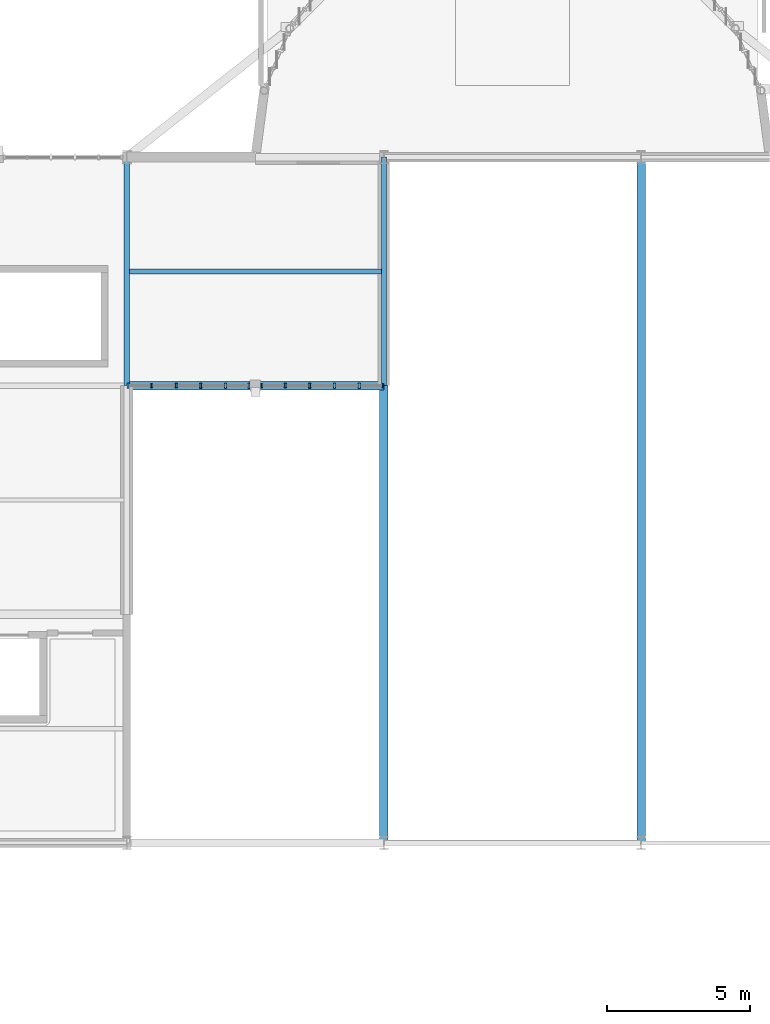
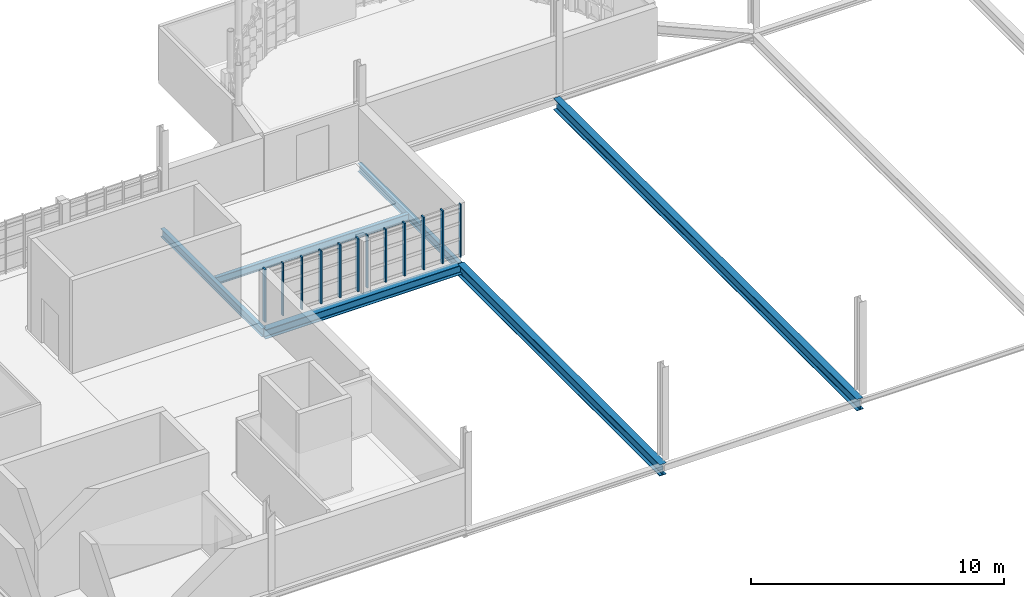
# One storey, part 11 of 44: 12 members, 6 beams, 2 elements without a shape of their own.
"""IFC4 building model written with IfcOpenShell, lengths in metres."""

import ifcopenshell
import ifcopenshell.guid

model = None  # the IFC model being written
_history = None  # IfcOwnerHistory: only IFC2X3 demands one
_inside = {}  # id of a spatial element -> (the spatial element, [elements in it])
_under = {}  # id of a project, library or spatial element -> (it, [spatial elements below it])
_declared = {}  # id of a project -> (the project, [libraries it declares])
_typed = {}  # id of a type object -> (the type object, [elements of that type])
_made_of = {}  # id of a material, layer set ... -> (it, [elements and type objects made of it])


def new_model(schema):
    """Start an empty IFC model of exactly this schema.

    Asked for "IFC4X3", IfcOpenShell would pick the latest addendum, in which some entities
    have other attributes; the version numbers below select the first issue.
    IFC2X3 requires an IfcOwnerHistory on every rooted entity: one is made here for all.
    """
    global model, _history
    if schema == "IFC4X3":
        model = ifcopenshell.file(schema_version=(4, 3, 0, 0))
    else:
        model = ifcopenshell.file(schema=schema)
    _inside.clear()
    _under.clear()
    _declared.clear()
    _typed.clear()
    _made_of.clear()
    _history = None
    if model.schema == "IFC2X3":
        org = make("IfcOrganization", Name="unknown")
        user = make(
            "IfcPersonAndOrganization",
            ThePerson=make("IfcPerson", FamilyName="unknown"),
            TheOrganization=org,
        )
        app = make(
            "IfcApplication",
            ApplicationDeveloper=org,
            Version="unknown",
            ApplicationFullName="unknown",
            ApplicationIdentifier="unknown",
        )
        _history = make(
            "IfcOwnerHistory",
            OwningUser=user,
            OwningApplication=app,
            ChangeAction="ADDED",
            CreationDate=0,
        )
    return model


def make(cls, **values):
    """One entity of the class cls with the attributes given. An attribute that is None is left unset."""
    return model.create_entity(
        cls, **{name: value for name, value in values.items() if value is not None}
    )


def rooted(cls, **values):
    """An entity with a GlobalId (a new one), such as an element, a storey or a relation."""
    return make(cls, GlobalId=ifcopenshell.guid.new(), OwnerHistory=_history, **values)


def si_unit(unit_type, name, prefix=None):
    """IfcSIUnit, for example si_unit("LENGTHUNIT", "METRE", prefix="MILLI")."""
    return make("IfcSIUnit", UnitType=unit_type, Prefix=prefix, Name=name)


def assignment(units):
    """IfcUnitAssignment: the units of a project."""
    return None if units is None else make("IfcUnitAssignment", Units=units)


def point(xyz):
    """IfcCartesianPoint."""
    return None if xyz is None else make("IfcCartesianPoint", Coordinates=xyz)


def direction(xyz):
    """IfcDirection."""
    return None if xyz is None else make("IfcDirection", DirectionRatios=xyz)


def frame(location, z_axis=None, x_axis=None):
    """IfcAxis2Placement3D, a coordinate frame: its origin and axes. An axis left out is left unset."""
    return make(
        "IfcAxis2Placement3D",
        Location=point(location),
        Axis=direction(z_axis),
        RefDirection=direction(x_axis),
    )


def frame_2d(location, x_axis=None):
    """IfcAxis2Placement2D, a coordinate frame in the plane: its origin and x axis."""
    return make(
        "IfcAxis2Placement2D", Location=point(location), RefDirection=direction(x_axis)
    )


def origin():
    """The frame at (0, 0, 0) with its axes left unset."""
    return frame((0.0, 0.0, 0.0))


def origin_2d():
    """The frame at (0, 0) in the plane with its x axis left unset."""
    return frame_2d((0.0, 0.0))


def place(relative_to, where):
    """IfcLocalPlacement: puts the frame where relative to a parent placement (None: the world)."""
    return make(
        "IfcLocalPlacement", PlacementRelTo=relative_to, RelativePlacement=where
    )


def context(
    kind, dimensions, precision=None, world=None, true_north=None, identifier=None
):
    """IfcGeometricRepresentationContext, for example the 3D "Model" context."""
    return make(
        "IfcGeometricRepresentationContext",
        ContextIdentifier=identifier,
        ContextType=kind,
        CoordinateSpaceDimension=dimensions,
        Precision=precision,
        WorldCoordinateSystem=world,
        TrueNorth=true_north,
    )


def subcontext(parent, identifier, kind, view, scale=None):
    """IfcGeometricRepresentationSubContext, for example "Body" below "Model"."""
    return make(
        "IfcGeometricRepresentationSubContext",
        ContextIdentifier=identifier,
        ContextType=kind,
        ParentContext=parent,
        TargetScale=scale,
        TargetView=view,
    )


def project(units=None, contexts=None):
    """IfcProject with its units and contexts."""
    return rooted(
        "IfcProject",
        Name="project",
        RepresentationContexts=contexts,
        UnitsInContext=assignment(units),
    )


def spatial(cls, under=None, at=None, **own):
    """A site, building, storey or space (cls), placed at a placement, below another one or the project."""
    s = rooted(cls, ObjectPlacement=at, **own)
    if under is not None:
        _under.setdefault(under.id(), (under, []))[1].append(s)
    return s


def profile(cls, at=None, kind="AREA", **sizes):
    """A parametric profile (cls). Its sizes go by their IFC names, for example OverallWidth=200.0."""
    return make(cls, ProfileType=kind, Position=at, **sizes)


def rectangle(**sizes):
    """IfcRectangleProfileDef."""
    return profile("IfcRectangleProfileDef", **sizes)


def i_section(**sizes):
    """IfcIShapeProfileDef."""
    return profile("IfcIShapeProfileDef", **sizes)


def extrude(swept, where, along, depth):
    """IfcExtrudedAreaSolid: the profile swept, set in the frame where, extruded along a direction by depth."""
    return make(
        "IfcExtrudedAreaSolid",
        SweptArea=swept,
        Position=where,
        ExtrudedDirection=direction(along),
        Depth=depth,
    )


def shape(context_of_items, identifier, shape_type, items):
    """IfcShapeRepresentation: the items that make up one representation, for example the "Body"."""
    return make(
        "IfcShapeRepresentation",
        ContextOfItems=context_of_items,
        RepresentationIdentifier=identifier,
        RepresentationType=shape_type,
        Items=items,
    )


def material(Name=None, Category=None):
    """IfcMaterial."""
    return make("IfcMaterial", Name=Name, Category=Category)


def material_profile(
    of_material, cross_section, Name=None, Category=None, Priority=None
):
    """IfcMaterialProfile: a cross section and its material."""
    return make(
        "IfcMaterialProfile",
        Name=Name,
        Material=of_material,
        Profile=cross_section,
        Priority=Priority,
        Category=Category,
    )


def profile_set(profiles, Name=None, composite=None):
    """IfcMaterialProfileSet."""
    return make(
        "IfcMaterialProfileSet",
        Name=Name,
        MaterialProfiles=profiles,
        CompositeProfile=composite,
    )


def made_of(thing, what):
    """Note that an element or type object is made of a material, layer set ...; save() writes the relation."""
    if what is not None:
        _made_of.setdefault(what.id(), (what, []))[1].append(thing)
    return thing


def type_object(cls, material=None, **own):
    """A type object (cls), such as IfcWallType, which elements share."""
    return made_of(rooted(cls, **own), material)


def element(
    cls,
    number,
    at=None,
    inside=None,
    cuts=None,
    type_object=None,
    material=None,
    context=None,
    identifier="Body",
    shape_type=None,
    held_by="IfcProductDefinitionShape",
    body=None,
    shapes=None,
    **own,
):
    """One element of the class cls, such as IfcWall. Its Tag is "e" and its number.

    at: its placement. inside: the storey or other place that contains it. cuts: it is an
    opening in that element (IfcRelVoidsElement). A single representation is given by context,
    identifier, shape_type and body (its items); several are given by shapes. held_by: the class
    of the entity that holds the representations. save() writes the other relations.
    """
    e = rooted(cls, Tag="e%d" % number, ObjectPlacement=at, **own)
    if body is not None:
        shapes = [shape(context, identifier, shape_type, body)]
    if shapes is not None:
        e.Representation = make(held_by, Representations=shapes)
    if inside is not None:
        _inside.setdefault(inside.id(), (inside, []))[1].append(e)
    if cuts is not None:
        rooted(
            "IfcRelVoidsElement", RelatingBuildingElement=cuts, RelatedOpeningElement=e
        )
    if type_object is not None:
        _typed.setdefault(type_object.id(), (type_object, []))[1].append(e)
    return made_of(e, material)


def aggregate(whole, parts):
    """IfcRelAggregates: a whole, such as a stair, and the parts it consists of."""
    return rooted("IfcRelAggregates", RelatingObject=whole, RelatedObjects=parts)


def save(model, path):
    """Write the relations noted so far, then the file.

    IfcRelAggregates (storeys below a building ...), IfcRelContainedInSpatialStructure (elements
    in a storey), IfcRelDefinesByType, IfcRelAssociatesMaterial and IfcRelDeclares: one each for
    every whole, place, type object, material and project.
    """
    for whole, parts in _under.values():
        aggregate(whole, parts)
    for where, things in _inside.values():
        rooted(
            "IfcRelContainedInSpatialStructure",
            RelatedElements=things,
            RelatingStructure=where,
        )
    for kind, things in _typed.values():
        rooted("IfcRelDefinesByType", RelatedObjects=things, RelatingType=kind)
    for what, things in _made_of.values():
        rooted("IfcRelAssociatesMaterial", RelatedObjects=things, RelatingMaterial=what)
    for by, libraries in _declared.values():
        rooted("IfcRelDeclares", RelatingContext=by, RelatedDefinitions=libraries)
    model.write(path)


model = new_model("IFC4")

# Units and contexts
model_context = context("Model", 3, precision=1e-05, world=origin(), true_north=direction((0.0, 1.0)))
body_context = subcontext(model_context, "Body", "Model", "MODEL_VIEW")
ifc_project = project(units=[si_unit("LENGTHUNIT", "METRE"), si_unit("AREAUNIT", "SQUARE_METRE"), si_unit("VOLUMEUNIT", "CUBIC_METRE"), si_unit("PLANEANGLEUNIT", "RADIAN"), si_unit("MASSUNIT", "GRAM", prefix="KILO")], contexts=[model_context])

# Site, building, storey
site_placement = place(None, origin())
site = spatial("IfcSite", under=ifc_project, at=site_placement, CompositionType="ELEMENT")
building_placement = place(site_placement, origin())
building = spatial("IfcBuilding", under=site, at=building_placement, Name="Serraforn Aerial Cableway Station", CompositionType="ELEMENT")
storey_placement = place(building_placement, frame((0.0, 0.0, 13.800048828125)))
storey = spatial("IfcBuildingStorey", under=building, at=storey_placement, Name="L03", CompositionType="ELEMENT", Elevation=13.800048828125)

# Beams
ifc_material_1 = material(Name="Steel S355JR", Category="steel")
ifc_material_profile_1 = material_profile(ifc_material_1, i_section(OverallWidth=0.300048828125, OverallDepth=0.449951171875, WebThickness=0.011474609375, FlangeThickness=0.02099609375, FilletRadius=0.027099609375, at=origin_2d()), Name="HEA 450")
ifc_profile_set_1 = profile_set([ifc_material_profile_1], Name="Steel S355JR")
beam_type_1 = type_object("IfcBeamType", Name="BM-ST-HEA450", PredefinedType="USERDEFINED", material=ifc_profile_set_1)
beam_1_placement = place(storey_placement, frame((45.60009765625, 34.0, -0.545166015625), z_axis=(1.0, 0.0, 0.0), x_axis=(0.0, 1.0, 0.0)))
element("IfcBeam", 1, at=beam_1_placement, inside=storey, type_object=beam_type_1, Name="Grid Girder X CV L03 Y3-3", ObjectType="GIRDER", PredefinedType="USERDEFINED", context=body_context, shape_type="SweptSolid", body=[
    extrude(i_section(OverallWidth=0.300048828125, OverallDepth=0.449951171875, WebThickness=0.011474609375, FlangeThickness=0.02099609375, FilletRadius=0.027099609375, at=origin_2d()), origin(), (0.0, 0.0, 1.0), 9.0),
])
ifc_material_2 = material(Name="Steel S355J2", Category="steel")
ifc_material_profile_2 = material_profile(ifc_material_2, i_section(OverallWidth=0.300048828125, OverallDepth=0.550048828125, WebThickness=0.014892578125, FlangeThickness=0.029052734375, FilletRadius=0.027099609375, at=origin_2d()), Name="HEB 550")
ifc_profile_set_2 = profile_set([ifc_material_profile_2], Name="Steel S355J2")
beam_type_2 = type_object("IfcBeamType", Name="BM-ST-HEB550", PredefinedType="USERDEFINED", material=ifc_profile_set_2)
beam_2_placement = place(storey_placement, frame((54.60009765625, 18.0, -0.594970703125), z_axis=(0.0, 1.0, 0.0), x_axis=(-1.0, 0.0, 0.0)))
element("IfcBeam", 2, at=beam_2_placement, inside=storey, type_object=beam_type_2, Name="Grid Girder Y CV L03 X4-1", ObjectType="GIRDER", PredefinedType="USERDEFINED", context=body_context, shape_type="SweptSolid", body=[
    extrude(i_section(OverallWidth=0.300048828125, OverallDepth=0.550048828125, WebThickness=0.014892578125, FlangeThickness=0.029052734375, FilletRadius=0.027099609375, at=origin_2d()), origin(), (0.0, 0.0, 1.0), 16.0),
])
beam_3_placement = place(storey_placement, frame((63.60009765625, 18.0, -0.594970703125), z_axis=(0.0, 1.0, 0.0), x_axis=(-1.0, 0.0, 0.0)))
element("IfcBeam", 3, at=beam_3_placement, inside=storey, type_object=beam_type_2, Name="Grid Girder Y CV L03 X5-1", ObjectType="GIRDER", PredefinedType="USERDEFINED", context=body_context, shape_type="SweptSolid", body=[
    extrude(i_section(OverallWidth=0.300048828125, OverallDepth=0.550048828125, WebThickness=0.014892578125, FlangeThickness=0.029052734375, FilletRadius=0.027099609375, at=origin_2d()), origin(), (0.0, 0.0, 1.0), 24.0),
])
ifc_material_profile_3 = material_profile(ifc_material_1, i_section(OverallWidth=0.169921875, OverallDepth=0.360107421875, WebThickness=0.008056640625, FlangeThickness=0.0126953125, FilletRadius=0.01806640625, at=origin_2d()), Name="IPE 360")
ifc_profile_set_3 = profile_set([ifc_material_profile_3], Name="Steel S355JR")
beam_type_3 = type_object("IfcBeamType", Name="BM-ST-IPE360", PredefinedType="JOIST", material=ifc_profile_set_3)
beam_4_placement = place(storey_placement, frame((45.68994140625, 38.0, -0.47509765625), z_axis=(1.0, 0.0, 0.0), x_axis=(0.0, 1.0, 0.0)))
element("IfcBeam", 4, at=beam_4_placement, inside=storey, type_object=beam_type_3, Name="Floor Joist CV-L03-3-3-1", PredefinedType="JOIST", context=body_context, shape_type="SweptSolid", body=[
    extrude(i_section(OverallWidth=0.169921875, OverallDepth=0.360107421875, WebThickness=0.008056640625, FlangeThickness=0.0126953125, FilletRadius=0.01806640625, at=origin_2d()), origin(), (0.0, 0.0, 1.0), 8.820068359375),
])
ifc_material_profile_4 = material_profile(ifc_material_1, i_section(OverallWidth=0.179931640625, OverallDepth=0.39990234375, WebThickness=0.008544921875, FlangeThickness=0.013427734375, FilletRadius=0.02099609375, at=origin_2d()), Name="IPE 400")
ifc_profile_set_4 = profile_set([ifc_material_profile_4], Name="Steel S355JR")
beam_type_4 = type_object("IfcBeamType", Name="BM-ST-IPE400", PredefinedType="BEAM", material=ifc_profile_set_4)
for number, where, z_axis, x_axis, name in (
    (5, (45.60009765625, 34.0, -0.52001953125), (0.0, 1.0, 0.0), (-1.0, 0.0, 0.0), "Grid Girder Y CV L03 X3-3"),
    (6, (54.60009765625, 34.0, -0.52001953125), (0.0, 1.0, 0.0), (-1.0, 0.0, 0.0), "Grid Girder Y CV L03 X4-2"),
):
    element("IfcBeam", number, at=place(storey_placement, frame(where, z_axis=z_axis, x_axis=x_axis)), inside=storey, type_object=beam_type_4, Name=name, PredefinedType="BEAM", context=body_context, shape_type="SweptSolid", body=[
        extrude(i_section(OverallWidth=0.179931640625, OverallDepth=0.39990234375, WebThickness=0.008544921875, FlangeThickness=0.013427734375, FilletRadius=0.02099609375, at=origin_2d()), origin(), (0.0, 0.0, 1.0), 8.0),
    ])

# Curtain wall, member
ifc_material_3 = material(Name="Anodised bronze unitised curtain wall")
curtain_wall_type_1 = type_object("IfcCurtainWallType", Name="CW-SYS-17", PredefinedType="USERDEFINED", material=ifc_material_3)
curtain_wall_1_placement = place(storey_placement, origin())
curtain_wall_1 = element("IfcCurtainWall", 7, at=curtain_wall_1_placement, inside=storey, type_object=curtain_wall_type_1, Name="Unitised Curtain Wall CW-CV-L03-S3A", ObjectType="UNITISED CURTAIN WALL", PredefinedType="USERDEFINED")
ifc_material_4 = material(Name="Anodised bronze extruded aluminium", Category="aluminium")
ifc_material_profile_5 = material_profile(ifc_material_4, rectangle(XDim=0.054931640625, YDim=0.139892578125, at=origin_2d()), Name="CW MULLION 55x140")
ifc_profile_set_5 = profile_set([ifc_material_profile_5], Name="Anodised bronze extruded aluminium")
member_type_1 = type_object("IfcMemberType", Name="CW-MUL-1", PredefinedType="MULLION", material=ifc_profile_set_5)
member_1_placement = place(storey_placement, frame((46.464111328125, 34.0, 0.0), z_axis=(0.0, 0.0, 1.0), x_axis=(1.0, 0.0, 0.0)))
member_1 = element("IfcMember", 8, at=member_1_placement, type_object=member_type_1, Name="Curtain Wall Mullion CW-CV-L03-S3A-M2", PredefinedType="MULLION", context=body_context, shape_type="SweptSolid", body=[
    extrude(rectangle(XDim=0.054931640625, YDim=0.139892578125, at=origin_2d()), origin(), (0.0, 0.0, 1.0), 2.550048828125),
])

# Curtain wall, members
curtain_wall_type_2 = type_object("IfcCurtainWallType", Name="CW-SYS-18", PredefinedType="USERDEFINED", material=ifc_material_3)
curtain_wall_2_placement = place(storey_placement, origin())
curtain_wall_2 = element("IfcCurtainWall", 9, at=curtain_wall_2_placement, inside=storey, type_object=curtain_wall_type_2, Name="Unitised Curtain Wall CW-CV-L03-S3B", ObjectType="UNITISED CURTAIN WALL", PredefinedType="USERDEFINED")
member_2_placement = place(storey_placement, frame((50.3076171875, 34.0, 0.0), z_axis=(0.0, 0.0, 1.0), x_axis=(1.0, 0.0, 0.0)))
member_2 = element("IfcMember", 10, at=member_2_placement, type_object=member_type_1, Name="Curtain Wall Mullion CW-CV-L03-S3B-M1", PredefinedType="MULLION", context=body_context, shape_type="SweptSolid", body=[
    extrude(rectangle(XDim=0.054931640625, YDim=0.139892578125, at=origin_2d()), origin(), (0.0, 0.0, 1.0), 2.550048828125),
])
member_3_placement = place(storey_placement, frame((54.572509765625, 34.0, 0.0), z_axis=(0.0, 0.0, 1.0), x_axis=(1.0, 0.0, 0.0)))
member_3 = element("IfcMember", 11, at=member_3_placement, type_object=member_type_1, Name="Curtain Wall Mullion CW-CV-L03-S3B-M6", PredefinedType="MULLION", context=body_context, shape_type="SweptSolid", body=[
    extrude(rectangle(XDim=0.054931640625, YDim=0.139892578125, at=origin_2d()), origin(), (0.0, 0.0, 1.0), 2.550048828125),
])

# Member
ifc_material_profile_6 = material_profile(ifc_material_4, rectangle(XDim=0.06005859375, YDim=0.159912109375, at=origin_2d()), Name="CW MULLION 60x160")
ifc_profile_set_6 = profile_set([ifc_material_profile_6], Name="Anodised bronze extruded aluminium")
member_type_2 = type_object("IfcMemberType", Name="CW-MUL-2", PredefinedType="MULLION", material=ifc_profile_set_6)
member_4_placement = place(storey_placement, frame((47.327880859375, 34.0, 0.0), z_axis=(0.0, 0.0, 1.0), x_axis=(1.0, 0.0, 0.0)))
member_4 = element("IfcMember", 12, at=member_4_placement, type_object=member_type_2, Name="Curtain Wall Mullion CW-CV-L03-S3A-M3", PredefinedType="MULLION", context=body_context, shape_type="SweptSolid", body=[
    extrude(rectangle(XDim=0.06005859375, YDim=0.159912109375, at=origin_2d()), origin(), (0.0, 0.0, 1.0), 2.550048828125),
])

member_5_placement = place(storey_placement, frame((51.14404296875, 34.0, 0.0), z_axis=(0.0, 0.0, 1.0), x_axis=(1.0, 0.0, 0.0)))
member_5 = element("IfcMember", 13, at=member_5_placement, type_object=member_type_2, Name="Curtain Wall Mullion CW-CV-L03-S3B-M2", PredefinedType="MULLION", context=body_context, shape_type="SweptSolid", body=[
    extrude(rectangle(XDim=0.06005859375, YDim=0.159912109375, at=origin_2d()), origin(), (0.0, 0.0, 1.0), 2.550048828125),
])

ifc_material_profile_7 = material_profile(ifc_material_4, rectangle(XDim=0.06494140625, YDim=0.175048828125, at=origin_2d()), Name="CW MULLION 65x175")
ifc_profile_set_7 = profile_set([ifc_material_profile_7], Name="Anodised bronze extruded aluminium")
member_type_3 = type_object("IfcMemberType", Name="CW-MUL-3", PredefinedType="MULLION", material=ifc_profile_set_7)
member_6_placement = place(storey_placement, frame((48.19189453125, 34.0, 0.0), z_axis=(0.0, 0.0, 1.0), x_axis=(1.0, 0.0, 0.0)))
member_6 = element("IfcMember", 14, at=member_6_placement, type_object=member_type_3, Name="Curtain Wall Mullion CW-CV-L03-S3A-M4", PredefinedType="MULLION", context=body_context, shape_type="SweptSolid", body=[
    extrude(rectangle(XDim=0.06494140625, YDim=0.175048828125, at=origin_2d()), origin(), (0.0, 0.0, 1.0), 2.550048828125),
])

member_7_placement = place(storey_placement, frame((52.008056640625, 34.0, 0.0), z_axis=(0.0, 0.0, 1.0), x_axis=(1.0, 0.0, 0.0)))
member_7 = element("IfcMember", 15, at=member_7_placement, type_object=member_type_3, Name="Curtain Wall Mullion CW-CV-L03-S3B-M3", PredefinedType="MULLION", context=body_context, shape_type="SweptSolid", body=[
    extrude(rectangle(XDim=0.06494140625, YDim=0.175048828125, at=origin_2d()), origin(), (0.0, 0.0, 1.0), 2.550048828125),
])

ifc_material_profile_8 = material_profile(ifc_material_4, rectangle(XDim=0.070068359375, YDim=0.18994140625, at=origin_2d()), Name="CW MULLION 70x190")
ifc_profile_set_8 = profile_set([ifc_material_profile_8], Name="Anodised bronze extruded aluminium")
member_type_4 = type_object("IfcMemberType", Name="CW-MUL-4", PredefinedType="MULLION", material=ifc_profile_set_8)
member_8_placement = place(storey_placement, frame((49.055908203125, 34.0, 0.0), z_axis=(0.0, 0.0, 1.0), x_axis=(1.0, 0.0, 0.0)))
member_8 = element("IfcMember", 16, at=member_8_placement, type_object=member_type_4, Name="Curtain Wall Mullion CW-CV-L03-S3A-M5", PredefinedType="MULLION", context=body_context, shape_type="SweptSolid", body=[
    extrude(rectangle(XDim=0.070068359375, YDim=0.18994140625, at=origin_2d()), origin(), (0.0, 0.0, 1.0), 2.550048828125),
])

member_9_placement = place(storey_placement, frame((52.8720703125, 34.0, 0.0), z_axis=(0.0, 0.0, 1.0), x_axis=(1.0, 0.0, 0.0)))
member_9 = element("IfcMember", 17, at=member_9_placement, type_object=member_type_4, Name="Curtain Wall Mullion CW-CV-L03-S3B-M4", PredefinedType="MULLION", context=body_context, shape_type="SweptSolid", body=[
    extrude(rectangle(XDim=0.070068359375, YDim=0.18994140625, at=origin_2d()), origin(), (0.0, 0.0, 1.0), 2.550048828125),
])

ifc_material_profile_9 = material_profile(ifc_material_4, rectangle(XDim=0.074951171875, YDim=0.199951171875, at=origin_2d()), Name="CW MULLION 75x200")
ifc_profile_set_9 = profile_set([ifc_material_profile_9], Name="Anodised bronze extruded aluminium")
member_type_5 = type_object("IfcMemberType", Name="CW-MUL-5", PredefinedType="MULLION", material=ifc_profile_set_9)
member_10_placement = place(storey_placement, frame((45.637451171875, 34.0, 0.0), z_axis=(0.0, 0.0, 1.0), x_axis=(1.0, 0.0, 0.0)))
member_10 = element("IfcMember", 18, at=member_10_placement, type_object=member_type_5, Name="Curtain Wall Mullion CW-CV-L03-S3A-M1", PredefinedType="MULLION", context=body_context, shape_type="SweptSolid", body=[
    extrude(rectangle(XDim=0.074951171875, YDim=0.199951171875, at=origin_2d()), origin(), (0.0, 0.0, 1.0), 2.550048828125),
])

member_11_placement = place(storey_placement, frame((49.882568359375, 34.0, 0.0), z_axis=(0.0, 0.0, 1.0), x_axis=(1.0, 0.0, 0.0)))
member_11 = element("IfcMember", 19, at=member_11_placement, type_object=member_type_5, Name="Curtain Wall Mullion CW-CV-L03-S3A-M6", PredefinedType="MULLION", context=body_context, shape_type="SweptSolid", body=[
    extrude(rectangle(XDim=0.074951171875, YDim=0.199951171875, at=origin_2d()), origin(), (0.0, 0.0, 1.0), 2.550048828125),
])

aggregate(curtain_wall_1, [member_10, member_1, member_4, member_6, member_8, member_11])

member_12_placement = place(storey_placement, frame((53.736083984375, 34.0, 0.0), z_axis=(0.0, 0.0, 1.0), x_axis=(1.0, 0.0, 0.0)))
member_12 = element("IfcMember", 20, at=member_12_placement, type_object=member_type_5, Name="Curtain Wall Mullion CW-CV-L03-S3B-M5", PredefinedType="MULLION", context=body_context, shape_type="SweptSolid", body=[
    extrude(rectangle(XDim=0.074951171875, YDim=0.199951171875, at=origin_2d()), origin(), (0.0, 0.0, 1.0), 2.550048828125),
])

aggregate(curtain_wall_2, [member_2, member_5, member_7, member_9, member_12, member_3])

save(model, "model.ifc")
